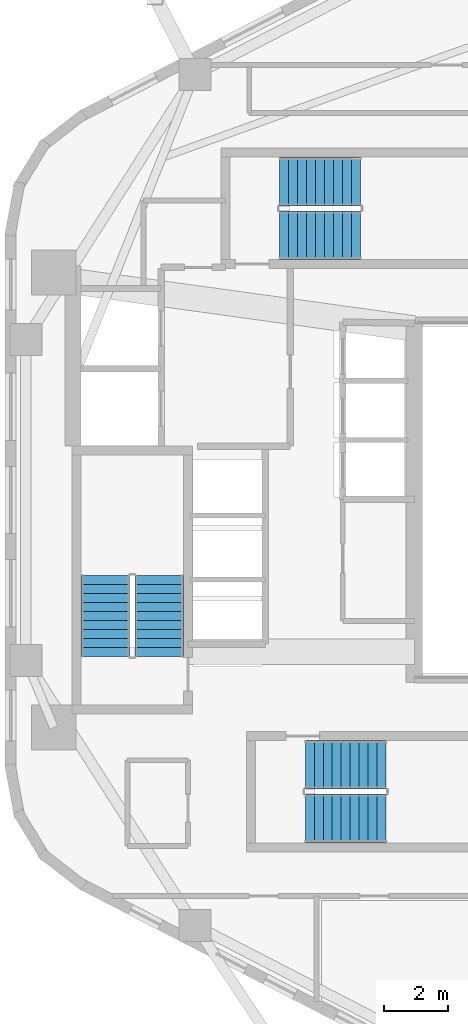
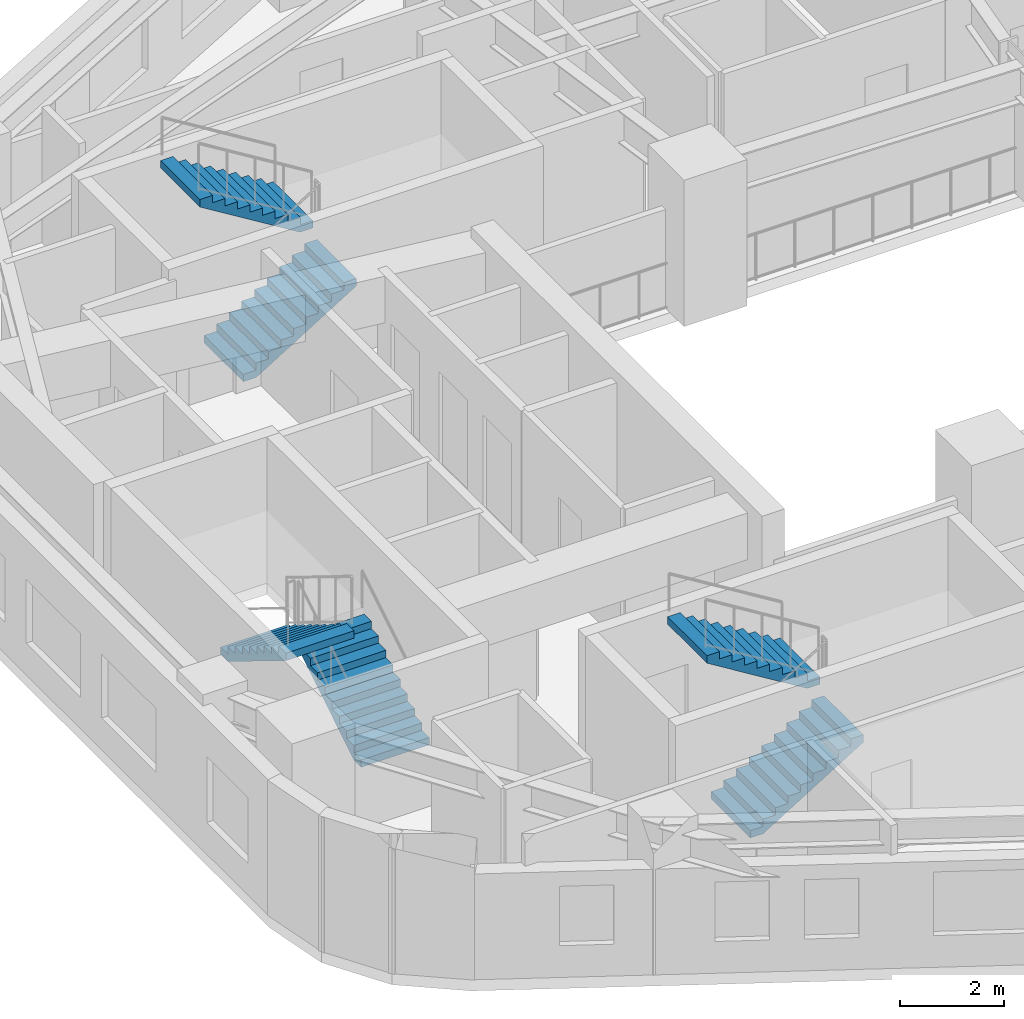
# One storey, part 7 of 8: 6 stair flights, 3 elements without a shape of their own.
"""IFC4 building model written with IfcOpenShell, lengths in metres."""

import ifcopenshell
import ifcopenshell.guid

model = None  # the IFC model being written
_history = None  # IfcOwnerHistory: only IFC2X3 demands one
_inside = {}  # id of a spatial element -> (the spatial element, [elements in it])
_under = {}  # id of a project, library or spatial element -> (it, [spatial elements below it])
_declared = {}  # id of a project -> (the project, [libraries it declares])
_typed = {}  # id of a type object -> (the type object, [elements of that type])
_made_of = {}  # id of a material, layer set ... -> (it, [elements and type objects made of it])


def new_model(schema):
    """Start an empty IFC model of exactly this schema.

    Asked for "IFC4X3", IfcOpenShell would pick the latest addendum, in which some entities
    have other attributes; the version numbers below select the first issue.
    IFC2X3 requires an IfcOwnerHistory on every rooted entity: one is made here for all.
    """
    global model, _history
    if schema == "IFC4X3":
        model = ifcopenshell.file(schema_version=(4, 3, 0, 0))
    else:
        model = ifcopenshell.file(schema=schema)
    _inside.clear()
    _under.clear()
    _declared.clear()
    _typed.clear()
    _made_of.clear()
    _history = None
    if model.schema == "IFC2X3":
        org = make("IfcOrganization", Name="unknown")
        user = make(
            "IfcPersonAndOrganization",
            ThePerson=make("IfcPerson", FamilyName="unknown"),
            TheOrganization=org,
        )
        app = make(
            "IfcApplication",
            ApplicationDeveloper=org,
            Version="unknown",
            ApplicationFullName="unknown",
            ApplicationIdentifier="unknown",
        )
        _history = make(
            "IfcOwnerHistory",
            OwningUser=user,
            OwningApplication=app,
            ChangeAction="ADDED",
            CreationDate=0,
        )
    return model


def make(cls, **values):
    """One entity of the class cls with the attributes given. An attribute that is None is left unset."""
    return model.create_entity(
        cls, **{name: value for name, value in values.items() if value is not None}
    )


def rooted(cls, **values):
    """An entity with a GlobalId (a new one), such as an element, a storey or a relation."""
    return make(cls, GlobalId=ifcopenshell.guid.new(), OwnerHistory=_history, **values)


def si_unit(unit_type, name, prefix=None):
    """IfcSIUnit, for example si_unit("LENGTHUNIT", "METRE", prefix="MILLI")."""
    return make("IfcSIUnit", UnitType=unit_type, Prefix=prefix, Name=name)


def assignment(units):
    """IfcUnitAssignment: the units of a project."""
    return None if units is None else make("IfcUnitAssignment", Units=units)


def point(xyz):
    """IfcCartesianPoint."""
    return None if xyz is None else make("IfcCartesianPoint", Coordinates=xyz)


def direction(xyz):
    """IfcDirection."""
    return None if xyz is None else make("IfcDirection", DirectionRatios=xyz)


def frame(location, z_axis=None, x_axis=None):
    """IfcAxis2Placement3D, a coordinate frame: its origin and axes. An axis left out is left unset."""
    return make(
        "IfcAxis2Placement3D",
        Location=point(location),
        Axis=direction(z_axis),
        RefDirection=direction(x_axis),
    )


def origin():
    """The frame at (0, 0, 0) with its axes left unset."""
    return frame((0.0, 0.0, 0.0))


def place(relative_to, where):
    """IfcLocalPlacement: puts the frame where relative to a parent placement (None: the world)."""
    return make(
        "IfcLocalPlacement", PlacementRelTo=relative_to, RelativePlacement=where
    )


def context(
    kind, dimensions, precision=None, world=None, true_north=None, identifier=None
):
    """IfcGeometricRepresentationContext, for example the 3D "Model" context."""
    return make(
        "IfcGeometricRepresentationContext",
        ContextIdentifier=identifier,
        ContextType=kind,
        CoordinateSpaceDimension=dimensions,
        Precision=precision,
        WorldCoordinateSystem=world,
        TrueNorth=true_north,
    )


def subcontext(parent, identifier, kind, view, scale=None):
    """IfcGeometricRepresentationSubContext, for example "Body" below "Model"."""
    return make(
        "IfcGeometricRepresentationSubContext",
        ContextIdentifier=identifier,
        ContextType=kind,
        ParentContext=parent,
        TargetScale=scale,
        TargetView=view,
    )


def project(units=None, contexts=None):
    """IfcProject with its units and contexts."""
    return rooted(
        "IfcProject",
        Name="project",
        RepresentationContexts=contexts,
        UnitsInContext=assignment(units),
    )


def spatial(cls, under=None, at=None, **own):
    """A site, building, storey or space (cls), placed at a placement, below another one or the project."""
    s = rooted(cls, ObjectPlacement=at, **own)
    if under is not None:
        _under.setdefault(under.id(), (under, []))[1].append(s)
    return s


def polyline(points):
    """IfcPolyline through the points."""
    return make("IfcPolyline", Points=[point(p) for p in points])


def outline(outer, holes=None, kind="AREA"):
    """IfcArbitraryClosedProfileDef: a profile drawn as a closed curve; with holes, ...WithVoids."""
    if holes is None:
        return make("IfcArbitraryClosedProfileDef", ProfileType=kind, OuterCurve=outer)
    return make(
        "IfcArbitraryProfileDefWithVoids",
        ProfileType=kind,
        OuterCurve=outer,
        InnerCurves=holes,
    )


def extrude(swept, where, along, depth):
    """IfcExtrudedAreaSolid: the profile swept, set in the frame where, extruded along a direction by depth."""
    return make(
        "IfcExtrudedAreaSolid",
        SweptArea=swept,
        Position=where,
        ExtrudedDirection=direction(along),
        Depth=depth,
    )


def shape(context_of_items, identifier, shape_type, items):
    """IfcShapeRepresentation: the items that make up one representation, for example the "Body"."""
    return make(
        "IfcShapeRepresentation",
        ContextOfItems=context_of_items,
        RepresentationIdentifier=identifier,
        RepresentationType=shape_type,
        Items=items,
    )


def material(Name=None, Category=None):
    """IfcMaterial."""
    return make("IfcMaterial", Name=Name, Category=Category)


def made_of(thing, what):
    """Note that an element or type object is made of a material, layer set ...; save() writes the relation."""
    if what is not None:
        _made_of.setdefault(what.id(), (what, []))[1].append(thing)
    return thing


def type_object(cls, material=None, **own):
    """A type object (cls), such as IfcWallType, which elements share."""
    return made_of(rooted(cls, **own), material)


def element(
    cls,
    number,
    at=None,
    inside=None,
    cuts=None,
    type_object=None,
    material=None,
    context=None,
    identifier="Body",
    shape_type=None,
    held_by="IfcProductDefinitionShape",
    body=None,
    shapes=None,
    **own,
):
    """One element of the class cls, such as IfcWall. Its Tag is "e" and its number.

    at: its placement. inside: the storey or other place that contains it. cuts: it is an
    opening in that element (IfcRelVoidsElement). A single representation is given by context,
    identifier, shape_type and body (its items); several are given by shapes. held_by: the class
    of the entity that holds the representations. save() writes the other relations.
    """
    e = rooted(cls, Tag="e%d" % number, ObjectPlacement=at, **own)
    if body is not None:
        shapes = [shape(context, identifier, shape_type, body)]
    if shapes is not None:
        e.Representation = make(held_by, Representations=shapes)
    if inside is not None:
        _inside.setdefault(inside.id(), (inside, []))[1].append(e)
    if cuts is not None:
        rooted(
            "IfcRelVoidsElement", RelatingBuildingElement=cuts, RelatedOpeningElement=e
        )
    if type_object is not None:
        _typed.setdefault(type_object.id(), (type_object, []))[1].append(e)
    return made_of(e, material)


def aggregate(whole, parts):
    """IfcRelAggregates: a whole, such as a stair, and the parts it consists of."""
    return rooted("IfcRelAggregates", RelatingObject=whole, RelatedObjects=parts)


def save(model, path):
    """Write the relations noted so far, then the file.

    IfcRelAggregates (storeys below a building ...), IfcRelContainedInSpatialStructure (elements
    in a storey), IfcRelDefinesByType, IfcRelAssociatesMaterial and IfcRelDeclares: one each for
    every whole, place, type object, material and project.
    """
    for whole, parts in _under.values():
        aggregate(whole, parts)
    for where, things in _inside.values():
        rooted(
            "IfcRelContainedInSpatialStructure",
            RelatedElements=things,
            RelatingStructure=where,
        )
    for kind, things in _typed.values():
        rooted("IfcRelDefinesByType", RelatedObjects=things, RelatingType=kind)
    for what, things in _made_of.values():
        rooted("IfcRelAssociatesMaterial", RelatedObjects=things, RelatingMaterial=what)
    for by, libraries in _declared.values():
        rooted("IfcRelDeclares", RelatingContext=by, RelatedDefinitions=libraries)
    model.write(path)


model = new_model("IFC4")

# Units and contexts
model_context = context("Model", 3, precision=1e-05, world=origin(), true_north=direction((0.0, 1.0)))
body_context = subcontext(model_context, "Body", "Model", "MODEL_VIEW")
ifc_project = project(units=[si_unit("LENGTHUNIT", "METRE"), si_unit("AREAUNIT", "SQUARE_METRE"), si_unit("VOLUMEUNIT", "CUBIC_METRE"), si_unit("PLANEANGLEUNIT", "RADIAN"), si_unit("MASSUNIT", "GRAM", prefix="KILO"), si_unit("THERMODYNAMICTEMPERATUREUNIT", "KELVIN"), si_unit("POWERUNIT", "WATT")], contexts=[model_context])

# Site, building, storey
site_placement = place(None, origin())
site = spatial("IfcSite", under=ifc_project, at=site_placement, CompositionType="ELEMENT")
building_placement = place(site_placement, origin())
building = spatial("IfcBuilding", under=site, at=building_placement, Name="Skarre Station Tower", CompositionType="ELEMENT")
storey_placement = place(building_placement, frame((0.0, 0.0, 129.14990234375)))
storey = spatial("IfcBuildingStorey", under=building, at=storey_placement, Name="L34", CompositionType="ELEMENT", Elevation=129.14990234375)

# Stair, stair flights
ifc_material = material(Name="Concrete C40/50", Category="concrete")
stair_type_1 = type_object("IfcStairType", Name="Reinforced Concrete Exit Stair ST-1", PredefinedType="HALF_TURN_STAIR", material=ifc_material)
stair_1_placement = place(storey_placement, origin())
stair_1 = element("IfcStair", 1, at=stair_1_placement, inside=storey, type_object=stair_type_1, Name="L34 Core Exit Stair ST-1", PredefinedType="HALF_TURN_STAIR")
stair_flight_type_1 = type_object("IfcStairFlightType", Name="Reinforced Concrete Stair Flight ST-1", PredefinedType="STRAIGHT", material=ifc_material)
stair_flight_1_placement = place(storey_placement, frame((19.590087890625, 19.1201171875, 0.0), z_axis=(0.0, 0.0, 1.0), x_axis=(0.0, 1.0, 0.0)))
stair_flight_1 = element("IfcStairFlight", 2, at=stair_flight_1_placement, type_object=stair_flight_type_1, Name="ST-1 flight 1", NumberOfRisers=10, NumberOfTreads=9, PredefinedType="STRAIGHT", RiserHeight=0.1725, TreadLength=0.28, context=body_context, shape_type="SweptSolid", body=[
    extrude(outline(polyline([(0.0, 0.0), (0.0, 0.172607421875), (0.280029296875, 0.172607421875), (0.280029296875, 0.344970703125), (0.56005859375, 0.344970703125), (0.56005859375, 0.517578125), (0.840087890625, 0.517578125), (0.840087890625, 0.68994140625), (1.1201171875, 0.68994140625), (1.1201171875, 0.862548828125), (1.39990234375, 0.862548828125), (1.39990234375, 1.034912109375), (1.679931640625, 1.034912109375), (1.679931640625, 1.20751953125), (1.9599609375, 1.20751953125), (1.9599609375, 1.3798828125), (2.239990234375, 1.3798828125), (2.239990234375, 1.552490234375), (2.52001953125, 1.552490234375), (2.52001953125, 1.72509765625), (2.52001953125, 1.37646484375), (0.285888671875, 0.0), (0.0, 0.0)])), frame((0.0, 0.760009765625, 0.0), z_axis=(0.0, -1.0, 0.0), x_axis=(1.0, 0.0, 0.0)), (0.0, 0.0, 1.0), 1.52001953125),
])
stair_flight_2_placement = place(storey_placement, frame((17.909912109375, 21.639892578125, 1.72509765625), z_axis=(0.0, 0.0, 1.0), x_axis=(0.0, -1.0, 0.0)))
stair_flight_2 = element("IfcStairFlight", 3, at=stair_flight_2_placement, type_object=stair_flight_type_1, Name="ST-1 flight 2", NumberOfRisers=10, NumberOfTreads=9, PredefinedType="STRAIGHT", RiserHeight=0.1725, TreadLength=0.28, context=body_context, shape_type="SweptSolid", body=[
    extrude(outline(polyline([(0.0, 0.0), (0.0, 0.172607421875), (0.280029296875, 0.172607421875), (0.280029296875, 0.344970703125), (0.56005859375, 0.344970703125), (0.56005859375, 0.517578125), (0.840087890625, 0.517578125), (0.840087890625, 0.68994140625), (1.1201171875, 0.68994140625), (1.1201171875, 0.862548828125), (1.39990234375, 0.862548828125), (1.39990234375, 1.034912109375), (1.679931640625, 1.034912109375), (1.679931640625, 1.20751953125), (1.9599609375, 1.20751953125), (1.9599609375, 1.3798828125), (2.239990234375, 1.3798828125), (2.239990234375, 1.552490234375), (2.52001953125, 1.552490234375), (2.52001953125, 1.72509765625), (2.52001953125, 1.37646484375), (0.285888671875, 0.0), (0.0, 0.0)])), frame((0.0, 0.760009765625, 0.0), z_axis=(0.0, -1.0, 0.0), x_axis=(1.0, 0.0, 0.0)), (0.0, 0.0, 1.0), 1.52001953125),
])
aggregate(stair_1, [stair_flight_1, stair_flight_2])

stair_type_2 = type_object("IfcStairType", Name="Reinforced Concrete Exit Stair ST-2", PredefinedType="HALF_TURN_STAIR", material=ifc_material)
stair_2_placement = place(storey_placement, origin())
stair_2 = element("IfcStair", 4, at=stair_2_placement, inside=storey, type_object=stair_type_2, Name="L34 Core Exit Stair ST-2", PredefinedType="HALF_TURN_STAIR")
stair_flight_type_2 = type_object("IfcStairFlightType", Name="Reinforced Concrete Stair Flight ST-2", PredefinedType="STRAIGHT", material=ifc_material)
stair_flight_3_placement = place(storey_placement, frame((24.14990234375, 14.06005859375, 0.0), z_axis=(0.0, 0.0, 1.0), x_axis=(1.0, 0.0, 0.0)))
stair_flight_3 = element("IfcStairFlight", 5, at=stair_flight_3_placement, type_object=stair_flight_type_2, Name="ST-2 flight 1", NumberOfRisers=10, NumberOfTreads=9, PredefinedType="STRAIGHT", RiserHeight=0.1725, TreadLength=0.28, context=body_context, shape_type="SweptSolid", body=[
    extrude(outline(polyline([(0.0, 0.0), (0.0, 0.172607421875), (0.280029296875, 0.172607421875), (0.280029296875, 0.344970703125), (0.56005859375, 0.344970703125), (0.56005859375, 0.517578125), (0.840087890625, 0.517578125), (0.840087890625, 0.68994140625), (1.1201171875, 0.68994140625), (1.1201171875, 0.862548828125), (1.39990234375, 0.862548828125), (1.39990234375, 1.034912109375), (1.679931640625, 1.034912109375), (1.679931640625, 1.20751953125), (1.9599609375, 1.20751953125), (1.9599609375, 1.3798828125), (2.239990234375, 1.3798828125), (2.239990234375, 1.552490234375), (2.52001953125, 1.552490234375), (2.52001953125, 1.72509765625), (2.52001953125, 1.37646484375), (0.285888671875, 0.0), (0.0, 0.0)])), frame((0.0, 0.760009765625, 0.0), z_axis=(0.0, -1.0, 0.0), x_axis=(1.0, 0.0, 0.0)), (0.0, 0.0, 1.0), 1.52001953125),
])
stair_flight_4_placement = place(storey_placement, frame((26.669921875, 15.739990234375, 1.72509765625), z_axis=(0.0, 0.0, 1.0), x_axis=(-1.0, 0.0, 0.0)))
stair_flight_4 = element("IfcStairFlight", 6, at=stair_flight_4_placement, type_object=stair_flight_type_2, Name="ST-2 flight 2", NumberOfRisers=10, NumberOfTreads=9, PredefinedType="STRAIGHT", RiserHeight=0.1725, TreadLength=0.28, context=body_context, shape_type="SweptSolid", body=[
    extrude(outline(polyline([(0.0, 0.0), (0.0, 0.172607421875), (0.280029296875, 0.172607421875), (0.280029296875, 0.344970703125), (0.56005859375, 0.344970703125), (0.56005859375, 0.517578125), (0.840087890625, 0.517578125), (0.840087890625, 0.68994140625), (1.1201171875, 0.68994140625), (1.1201171875, 0.862548828125), (1.39990234375, 0.862548828125), (1.39990234375, 1.034912109375), (1.679931640625, 1.034912109375), (1.679931640625, 1.20751953125), (1.9599609375, 1.20751953125), (1.9599609375, 1.3798828125), (2.239990234375, 1.3798828125), (2.239990234375, 1.552490234375), (2.52001953125, 1.552490234375), (2.52001953125, 1.72509765625), (2.52001953125, 1.37646484375), (0.285888671875, 0.0), (0.0, 0.0)])), frame((0.0, 0.760009765625, 0.0), z_axis=(0.0, -1.0, 0.0), x_axis=(1.0, 0.0, 0.0)), (0.0, 0.0, 1.0), 1.52001953125),
])
aggregate(stair_2, [stair_flight_3, stair_flight_4])

stair_type_3 = type_object("IfcStairType", Name="Reinforced Concrete Exit Stair ST-3", PredefinedType="HALF_TURN_STAIR", material=ifc_material)
stair_3_placement = place(storey_placement, origin())
stair_3 = element("IfcStair", 7, at=stair_3_placement, inside=storey, type_object=stair_type_3, Name="L34 Core Exit Stair ST-3", PredefinedType="HALF_TURN_STAIR")
stair_flight_type_3 = type_object("IfcStairFlightType", Name="Reinforced Concrete Stair Flight ST-3", PredefinedType="STRAIGHT", material=ifc_material)
stair_flight_5_placement = place(storey_placement, frame((23.35009765625, 32.260009765625, 0.0), z_axis=(0.0, 0.0, 1.0), x_axis=(1.0, 0.0, 0.0)))
stair_flight_5 = element("IfcStairFlight", 8, at=stair_flight_5_placement, type_object=stair_flight_type_3, Name="ST-3 flight 1", NumberOfRisers=10, NumberOfTreads=9, PredefinedType="STRAIGHT", RiserHeight=0.1725, TreadLength=0.28, context=body_context, shape_type="SweptSolid", body=[
    extrude(outline(polyline([(0.0, 0.0), (0.0, 0.172607421875), (0.280029296875, 0.172607421875), (0.280029296875, 0.344970703125), (0.56005859375, 0.344970703125), (0.56005859375, 0.517578125), (0.840087890625, 0.517578125), (0.840087890625, 0.68994140625), (1.1201171875, 0.68994140625), (1.1201171875, 0.862548828125), (1.39990234375, 0.862548828125), (1.39990234375, 1.034912109375), (1.679931640625, 1.034912109375), (1.679931640625, 1.20751953125), (1.9599609375, 1.20751953125), (1.9599609375, 1.3798828125), (2.239990234375, 1.3798828125), (2.239990234375, 1.552490234375), (2.52001953125, 1.552490234375), (2.52001953125, 1.72509765625), (2.52001953125, 1.37646484375), (0.285888671875, 0.0), (0.0, 0.0)])), frame((0.0, 0.760009765625, 0.0), z_axis=(0.0, -1.0, 0.0), x_axis=(1.0, 0.0, 0.0)), (0.0, 0.0, 1.0), 1.52001953125),
])
stair_flight_6_placement = place(storey_placement, frame((25.8701171875, 33.93994140625, 1.72509765625), z_axis=(0.0, 0.0, 1.0), x_axis=(-1.0, 0.0, 0.0)))
stair_flight_6 = element("IfcStairFlight", 9, at=stair_flight_6_placement, type_object=stair_flight_type_3, Name="ST-3 flight 2", NumberOfRisers=10, NumberOfTreads=9, PredefinedType="STRAIGHT", RiserHeight=0.1725, TreadLength=0.28, context=body_context, shape_type="SweptSolid", body=[
    extrude(outline(polyline([(0.0, 0.0), (0.0, 0.172607421875), (0.280029296875, 0.172607421875), (0.280029296875, 0.344970703125), (0.56005859375, 0.344970703125), (0.56005859375, 0.517578125), (0.840087890625, 0.517578125), (0.840087890625, 0.68994140625), (1.1201171875, 0.68994140625), (1.1201171875, 0.862548828125), (1.39990234375, 0.862548828125), (1.39990234375, 1.034912109375), (1.679931640625, 1.034912109375), (1.679931640625, 1.20751953125), (1.9599609375, 1.20751953125), (1.9599609375, 1.3798828125), (2.239990234375, 1.3798828125), (2.239990234375, 1.552490234375), (2.52001953125, 1.552490234375), (2.52001953125, 1.72509765625), (2.52001953125, 1.37646484375), (0.285888671875, 0.0), (0.0, 0.0)])), frame((0.0, 0.760009765625, 0.0), z_axis=(0.0, -1.0, 0.0), x_axis=(1.0, 0.0, 0.0)), (0.0, 0.0, 1.0), 1.52001953125),
])
aggregate(stair_3, [stair_flight_5, stair_flight_6])

save(model, "model.ifc")
